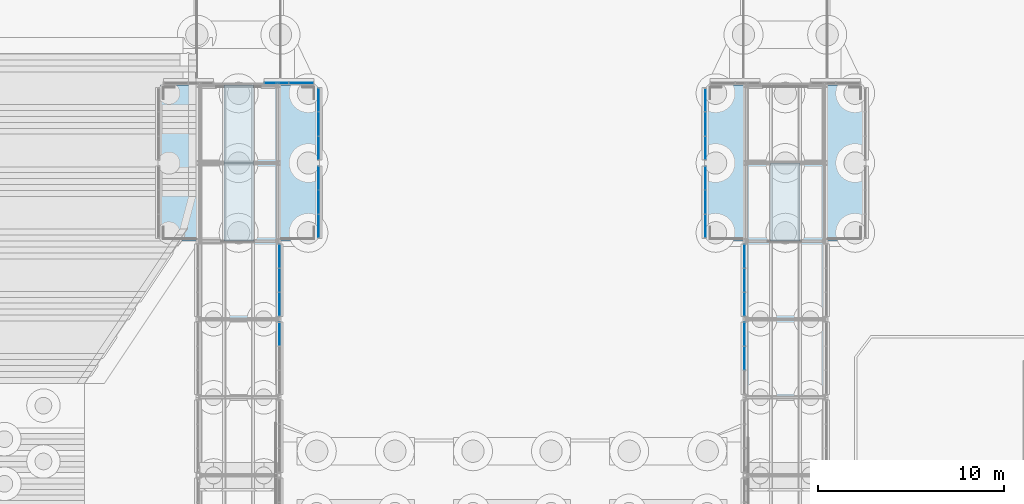
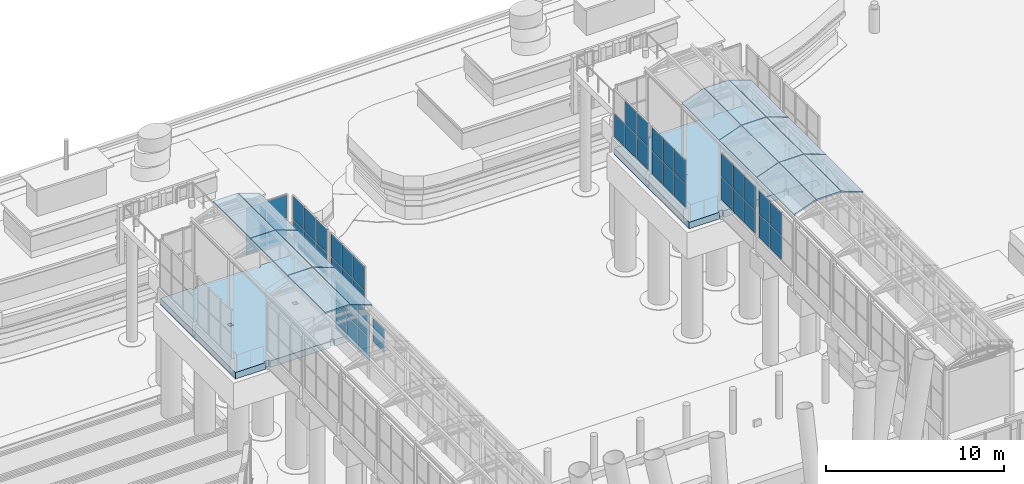
# One storey, part 85 of 222: 44 plates, 17 slabs, 9 elements without a shape of their own.
"""IFC4 building model written with IfcOpenShell, lengths in metres."""

from ifc_helpers import new_model, si_unit, direction, frame, origin, origin_2d, place, context, subcontext, project, spatial, polyline, rectangle, outline, extrude, material, layer, layer_set, type_object, element, aggregate, save


model = new_model("IFC4")

# Units and contexts
model_context = context("Model", 3, precision=1e-05, world=origin(), true_north=direction((0.0, 1.0)))
body_context = subcontext(model_context, "Body", "Model", "MODEL_VIEW")
ifc_project = project(units=[si_unit("LENGTHUNIT", "METRE"), si_unit("AREAUNIT", "SQUARE_METRE"), si_unit("VOLUMEUNIT", "CUBIC_METRE"), si_unit("PLANEANGLEUNIT", "RADIAN"), si_unit("MASSUNIT", "GRAM", prefix="KILO")], contexts=[model_context])

# Site, building, storey
site_placement = place(None, origin())
site = spatial("IfcSite", under=ifc_project, at=site_placement, CompositionType="ELEMENT")
building_placement = place(site_placement, origin())
building = spatial("IfcBuilding", under=site, at=building_placement, Name="Sava Quay Ferry Terminal", CompositionType="ELEMENT")
storey_placement = place(building_placement, origin())
storey = spatial("IfcBuildingStorey", under=building, at=storey_placement, Name="L00", CompositionType="ELEMENT", Elevation=0.0)

# Curtain wall, plate
ifc_material_1 = material(Name="Aluminium and glass curtain wall, double glazed", Category="aluminium")
curtain_wall_type = type_object("IfcCurtainWallType", Name="Curtain wall CW-B gallery", PredefinedType="NOTDEFINED", material=ifc_material_1)
curtain_wall_1_placement = place(storey_placement, origin())
curtain_wall_1 = element("IfcCurtainWall", 1, at=curtain_wall_1_placement, inside=storey, type_object=curtain_wall_type, Name="Curtain wall B1-E L00 bay 5", PredefinedType="NOTDEFINED")
ifc_material_2 = material(Name="Laminated glass, double glazed unit", Category="glass")
ifc_layer_1 = layer(ifc_material_2, 0.02392578125)
ifc_layer_set_1 = layer_set([ifc_layer_1], Name="Laminated glass, double glazed unit")
plate_type = type_object("IfcPlateType", Name="Glass panel 24 double", PredefinedType="CURTAIN_PANEL", material=ifc_layer_set_1)
plate_1_placement = place(storey_placement, frame((50.5, 129.387451171875, 2.5751953125), z_axis=(0.0, 0.0, 1.0), x_axis=(0.0, 1.0, 0.0)))
plate_1 = element("IfcPlate", 2, at=plate_1_placement, type_object=plate_type, Name="CW5 panel 3.2", PredefinedType="CURTAIN_PANEL", context=body_context, shape_type="SweptSolid", body=[
    extrude(rectangle(XDim=1.22509765625, YDim=0.02392578125, at=origin_2d()), origin(), (0.0, 0.0, 1.0), 1.574951171875),
])
aggregate(curtain_wall_1, [plate_1])

# Curtain wall, plates
curtain_wall_2_placement = place(storey_placement, origin())
curtain_wall_2 = element("IfcCurtainWall", 3, at=curtain_wall_2_placement, inside=storey, type_object=curtain_wall_type, Name="Curtain wall B1-E L00 bay 6", PredefinedType="NOTDEFINED")
plate_2_placement = place(storey_placement, frame((50.5, 131.012451171875, 0.9501953125), z_axis=(0.0, 0.0, 1.0), x_axis=(0.0, 1.0, 0.0)))
plate_2 = element("IfcPlate", 4, at=plate_2_placement, type_object=plate_type, Name="CW6 panel 1.1", PredefinedType="CURTAIN_PANEL", context=body_context, shape_type="SweptSolid", body=[
    extrude(rectangle(XDim=1.22509765625, YDim=0.02392578125, at=origin_2d()), origin(), (0.0, 0.0, 1.0), 1.574951171875),
])
plate_3_placement = place(storey_placement, frame((50.5, 131.012451171875, 2.5751953125), z_axis=(0.0, 0.0, 1.0), x_axis=(0.0, 1.0, 0.0)))
plate_3 = element("IfcPlate", 5, at=plate_3_placement, type_object=plate_type, Name="CW6 panel 1.2", PredefinedType="CURTAIN_PANEL", context=body_context, shape_type="SweptSolid", body=[
    extrude(rectangle(XDim=1.22509765625, YDim=0.02392578125, at=origin_2d()), origin(), (0.0, 0.0, 1.0), 1.574951171875),
])
plate_4_placement = place(storey_placement, frame((50.5, 132.300048828125, 0.9501953125), z_axis=(0.0, 0.0, 1.0), x_axis=(0.0, 1.0, 0.0)))
plate_4 = element("IfcPlate", 6, at=plate_4_placement, type_object=plate_type, Name="CW6 panel 2.1", PredefinedType="CURTAIN_PANEL", context=body_context, shape_type="SweptSolid", body=[
    extrude(rectangle(XDim=1.25, YDim=0.02392578125, at=origin_2d()), origin(), (0.0, 0.0, 1.0), 1.574951171875),
])
plate_5_placement = place(storey_placement, frame((50.5, 132.300048828125, 2.5751953125), z_axis=(0.0, 0.0, 1.0), x_axis=(0.0, 1.0, 0.0)))
plate_5 = element("IfcPlate", 7, at=plate_5_placement, type_object=plate_type, Name="CW6 panel 2.2", PredefinedType="CURTAIN_PANEL", context=body_context, shape_type="SweptSolid", body=[
    extrude(rectangle(XDim=1.25, YDim=0.02392578125, at=origin_2d()), origin(), (0.0, 0.0, 1.0), 1.574951171875),
])
plate_6_placement = place(storey_placement, frame((50.5, 133.58740234375, 0.9501953125), z_axis=(0.0, 0.0, 1.0), x_axis=(0.0, 1.0, 0.0)))
plate_6 = element("IfcPlate", 8, at=plate_6_placement, type_object=plate_type, Name="CW6 panel 3.1", PredefinedType="CURTAIN_PANEL", context=body_context, shape_type="SweptSolid", body=[
    extrude(rectangle(XDim=1.22509765625, YDim=0.02392578125, at=origin_2d()), origin(), (0.0, 0.0, 1.0), 1.574951171875),
])
plate_7_placement = place(storey_placement, frame((50.5, 133.58740234375, 2.5751953125), z_axis=(0.0, 0.0, 1.0), x_axis=(0.0, 1.0, 0.0)))
plate_7 = element("IfcPlate", 9, at=plate_7_placement, type_object=plate_type, Name="CW6 panel 3.2", PredefinedType="CURTAIN_PANEL", context=body_context, shape_type="SweptSolid", body=[
    extrude(rectangle(XDim=1.22509765625, YDim=0.02392578125, at=origin_2d()), origin(), (0.0, 0.0, 1.0), 1.574951171875),
])
aggregate(curtain_wall_2, [plate_2, plate_3, plate_4, plate_5, plate_6, plate_7])

curtain_wall_3_placement = place(storey_placement, origin())
curtain_wall_3 = element("IfcCurtainWall", 10, at=curtain_wall_3_placement, inside=storey, type_object=curtain_wall_type, Name="Curtain wall B1-HE L00 bay 1", PredefinedType="NOTDEFINED")
plate_8_placement = place(storey_placement, frame((52.60009765625, 135.21240234375, 0.9501953125), z_axis=(0.0, 0.0, 1.0), x_axis=(0.0, 1.0, 0.0)))
plate_8 = element("IfcPlate", 11, at=plate_8_placement, type_object=plate_type, Name="CW7 panel 1.1", PredefinedType="CURTAIN_PANEL", context=body_context, shape_type="SweptSolid", body=[
    extrude(rectangle(XDim=1.22509765625, YDim=0.02392578125, at=origin_2d()), origin(), (0.0, 0.0, 1.0), 1.574951171875),
])
plate_9_placement = place(storey_placement, frame((52.60009765625, 135.21240234375, 2.5751953125), z_axis=(0.0, 0.0, 1.0), x_axis=(0.0, 1.0, 0.0)))
plate_9 = element("IfcPlate", 12, at=plate_9_placement, type_object=plate_type, Name="CW7 panel 1.2", PredefinedType="CURTAIN_PANEL", context=body_context, shape_type="SweptSolid", body=[
    extrude(rectangle(XDim=1.22509765625, YDim=0.02392578125, at=origin_2d()), origin(), (0.0, 0.0, 1.0), 1.574951171875),
])
plate_10_placement = place(storey_placement, frame((52.60009765625, 136.5, 0.9501953125), z_axis=(0.0, 0.0, 1.0), x_axis=(0.0, 1.0, 0.0)))
plate_10 = element("IfcPlate", 13, at=plate_10_placement, type_object=plate_type, Name="CW7 panel 2.1", PredefinedType="CURTAIN_PANEL", context=body_context, shape_type="SweptSolid", body=[
    extrude(rectangle(XDim=1.25, YDim=0.02392578125, at=origin_2d()), origin(), (0.0, 0.0, 1.0), 1.574951171875),
])
plate_11_placement = place(storey_placement, frame((52.60009765625, 136.5, 2.5751953125), z_axis=(0.0, 0.0, 1.0), x_axis=(0.0, 1.0, 0.0)))
plate_11 = element("IfcPlate", 14, at=plate_11_placement, type_object=plate_type, Name="CW7 panel 2.2", PredefinedType="CURTAIN_PANEL", context=body_context, shape_type="SweptSolid", body=[
    extrude(rectangle(XDim=1.25, YDim=0.02392578125, at=origin_2d()), origin(), (0.0, 0.0, 1.0), 1.574951171875),
])
plate_12_placement = place(storey_placement, frame((52.60009765625, 137.78759765625, 0.9501953125), z_axis=(0.0, 0.0, 1.0), x_axis=(0.0, 1.0, 0.0)))
plate_12 = element("IfcPlate", 15, at=plate_12_placement, type_object=plate_type, Name="CW7 panel 3.1", PredefinedType="CURTAIN_PANEL", context=body_context, shape_type="SweptSolid", body=[
    extrude(rectangle(XDim=1.22509765625, YDim=0.02392578125, at=origin_2d()), origin(), (0.0, 0.0, 1.0), 1.574951171875),
])
plate_13_placement = place(storey_placement, frame((52.60009765625, 137.78759765625, 2.5751953125), z_axis=(0.0, 0.0, 1.0), x_axis=(0.0, 1.0, 0.0)))
plate_13 = element("IfcPlate", 16, at=plate_13_placement, type_object=plate_type, Name="CW7 panel 3.2", PredefinedType="CURTAIN_PANEL", context=body_context, shape_type="SweptSolid", body=[
    extrude(rectangle(XDim=1.22509765625, YDim=0.02392578125, at=origin_2d()), origin(), (0.0, 0.0, 1.0), 1.574951171875),
])
aggregate(curtain_wall_3, [plate_8, plate_9, plate_10, plate_11, plate_12, plate_13])

curtain_wall_4_placement = place(storey_placement, origin())
curtain_wall_4 = element("IfcCurtainWall", 17, at=curtain_wall_4_placement, inside=storey, type_object=curtain_wall_type, Name="Curtain wall B1-HE L00 bay 2", PredefinedType="NOTDEFINED")
plate_14_placement = place(storey_placement, frame((52.60009765625, 139.41259765625, 0.9501953125), z_axis=(0.0, 0.0, 1.0), x_axis=(0.0, 1.0, 0.0)))
plate_14 = element("IfcPlate", 18, at=plate_14_placement, type_object=plate_type, Name="CW8 panel 1.1", PredefinedType="CURTAIN_PANEL", context=body_context, shape_type="SweptSolid", body=[
    extrude(rectangle(XDim=1.22509765625, YDim=0.02392578125, at=origin_2d()), origin(), (0.0, 0.0, 1.0), 1.574951171875),
])
plate_15_placement = place(storey_placement, frame((52.60009765625, 139.41259765625, 2.5751953125), z_axis=(0.0, 0.0, 1.0), x_axis=(0.0, 1.0, 0.0)))
plate_15 = element("IfcPlate", 19, at=plate_15_placement, type_object=plate_type, Name="CW8 panel 1.2", PredefinedType="CURTAIN_PANEL", context=body_context, shape_type="SweptSolid", body=[
    extrude(rectangle(XDim=1.22509765625, YDim=0.02392578125, at=origin_2d()), origin(), (0.0, 0.0, 1.0), 1.574951171875),
])
plate_16_placement = place(storey_placement, frame((52.60009765625, 140.699951171875, 0.9501953125), z_axis=(0.0, 0.0, 1.0), x_axis=(0.0, 1.0, 0.0)))
plate_16 = element("IfcPlate", 20, at=plate_16_placement, type_object=plate_type, Name="CW8 panel 2.1", PredefinedType="CURTAIN_PANEL", context=body_context, shape_type="SweptSolid", body=[
    extrude(rectangle(XDim=1.25, YDim=0.02392578125, at=origin_2d()), origin(), (0.0, 0.0, 1.0), 1.574951171875),
])
plate_17_placement = place(storey_placement, frame((52.60009765625, 140.699951171875, 2.5751953125), z_axis=(0.0, 0.0, 1.0), x_axis=(0.0, 1.0, 0.0)))
plate_17 = element("IfcPlate", 21, at=plate_17_placement, type_object=plate_type, Name="CW8 panel 2.2", PredefinedType="CURTAIN_PANEL", context=body_context, shape_type="SweptSolid", body=[
    extrude(rectangle(XDim=1.25, YDim=0.02392578125, at=origin_2d()), origin(), (0.0, 0.0, 1.0), 1.574951171875),
])
plate_18_placement = place(storey_placement, frame((52.60009765625, 141.987548828125, 0.9501953125), z_axis=(0.0, 0.0, 1.0), x_axis=(0.0, 1.0, 0.0)))
plate_18 = element("IfcPlate", 22, at=plate_18_placement, type_object=plate_type, Name="CW8 panel 3.1", PredefinedType="CURTAIN_PANEL", context=body_context, shape_type="SweptSolid", body=[
    extrude(rectangle(XDim=1.22509765625, YDim=0.02392578125, at=origin_2d()), origin(), (0.0, 0.0, 1.0), 1.574951171875),
])
plate_19_placement = place(storey_placement, frame((52.60009765625, 141.987548828125, 2.5751953125), z_axis=(0.0, 0.0, 1.0), x_axis=(0.0, 1.0, 0.0)))
plate_19 = element("IfcPlate", 23, at=plate_19_placement, type_object=plate_type, Name="CW8 panel 3.2", PredefinedType="CURTAIN_PANEL", context=body_context, shape_type="SweptSolid", body=[
    extrude(rectangle(XDim=1.22509765625, YDim=0.02392578125, at=origin_2d()), origin(), (0.0, 0.0, 1.0), 1.574951171875),
])
aggregate(curtain_wall_4, [plate_14, plate_15, plate_16, plate_17, plate_18, plate_19])

curtain_wall_5_placement = place(storey_placement, origin())
curtain_wall_5 = element("IfcCurtainWall", 24, at=curtain_wall_5_placement, inside=storey, type_object=curtain_wall_type, Name="Curtain wall B1-HN L00 bay 2", PredefinedType="NOTDEFINED")
plate_20_placement = place(storey_placement, frame((50.33740234375, 142.89990234375, 0.9501953125), z_axis=(0.0, 0.0, 1.0), x_axis=(1.0, 0.0, 0.0)))
plate_20 = element("IfcPlate", 25, at=plate_20_placement, type_object=plate_type, Name="CW10 panel 1.1", PredefinedType="CURTAIN_PANEL", context=body_context, shape_type="SweptSolid", body=[
    extrude(rectangle(XDim=1.27490234375, YDim=0.02392578125, at=origin_2d()), origin(), (0.0, 0.0, 1.0), 1.574951171875),
])
plate_21_placement = place(storey_placement, frame((50.33740234375, 142.89990234375, 2.5751953125), z_axis=(0.0, 0.0, 1.0), x_axis=(1.0, 0.0, 0.0)))
plate_21 = element("IfcPlate", 26, at=plate_21_placement, type_object=plate_type, Name="CW10 panel 1.2", PredefinedType="CURTAIN_PANEL", context=body_context, shape_type="SweptSolid", body=[
    extrude(rectangle(XDim=1.27490234375, YDim=0.02392578125, at=origin_2d()), origin(), (0.0, 0.0, 1.0), 1.574951171875),
])
plate_22_placement = place(storey_placement, frame((51.66259765625, 142.89990234375, 0.9501953125), z_axis=(0.0, 0.0, 1.0), x_axis=(1.0, 0.0, 0.0)))
plate_22 = element("IfcPlate", 27, at=plate_22_placement, type_object=plate_type, Name="CW10 panel 2.1", PredefinedType="CURTAIN_PANEL", context=body_context, shape_type="SweptSolid", body=[
    extrude(rectangle(XDim=1.27490234375, YDim=0.02392578125, at=origin_2d()), origin(), (0.0, 0.0, 1.0), 1.574951171875),
])
plate_23_placement = place(storey_placement, frame((51.66259765625, 142.89990234375, 2.5751953125), z_axis=(0.0, 0.0, 1.0), x_axis=(1.0, 0.0, 0.0)))
plate_23 = element("IfcPlate", 28, at=plate_23_placement, type_object=plate_type, Name="CW10 panel 2.2", PredefinedType="CURTAIN_PANEL", context=body_context, shape_type="SweptSolid", body=[
    extrude(rectangle(XDim=1.27490234375, YDim=0.02392578125, at=origin_2d()), origin(), (0.0, 0.0, 1.0), 1.574951171875),
])
aggregate(curtain_wall_5, [plate_20, plate_21, plate_22, plate_23])

curtain_wall_6_placement = place(storey_placement, origin())
curtain_wall_6 = element("IfcCurtainWall", 29, at=curtain_wall_6_placement, inside=storey, type_object=curtain_wall_type, Name="Curtain wall B2-HW L00 bay 1", PredefinedType="NOTDEFINED")
plate_24_placement = place(storey_placement, frame((73.39990234375, 135.21240234375, 0.9501953125), z_axis=(0.0, 0.0, 1.0), x_axis=(0.0, 1.0, 0.0)))
plate_24 = element("IfcPlate", 30, at=plate_24_placement, type_object=plate_type, Name="CW29 panel 1.1", PredefinedType="CURTAIN_PANEL", context=body_context, shape_type="SweptSolid", body=[
    extrude(rectangle(XDim=1.22509765625, YDim=0.02392578125, at=origin_2d()), origin(), (0.0, 0.0, 1.0), 1.574951171875),
])
plate_25_placement = place(storey_placement, frame((73.39990234375, 135.21240234375, 2.5751953125), z_axis=(0.0, 0.0, 1.0), x_axis=(0.0, 1.0, 0.0)))
plate_25 = element("IfcPlate", 31, at=plate_25_placement, type_object=plate_type, Name="CW29 panel 1.2", PredefinedType="CURTAIN_PANEL", context=body_context, shape_type="SweptSolid", body=[
    extrude(rectangle(XDim=1.22509765625, YDim=0.02392578125, at=origin_2d()), origin(), (0.0, 0.0, 1.0), 1.574951171875),
])
plate_26_placement = place(storey_placement, frame((73.39990234375, 136.5, 0.9501953125), z_axis=(0.0, 0.0, 1.0), x_axis=(0.0, 1.0, 0.0)))
plate_26 = element("IfcPlate", 32, at=plate_26_placement, type_object=plate_type, Name="CW29 panel 2.1", PredefinedType="CURTAIN_PANEL", context=body_context, shape_type="SweptSolid", body=[
    extrude(rectangle(XDim=1.25, YDim=0.02392578125, at=origin_2d()), origin(), (0.0, 0.0, 1.0), 1.574951171875),
])
plate_27_placement = place(storey_placement, frame((73.39990234375, 136.5, 2.5751953125), z_axis=(0.0, 0.0, 1.0), x_axis=(0.0, 1.0, 0.0)))
plate_27 = element("IfcPlate", 33, at=plate_27_placement, type_object=plate_type, Name="CW29 panel 2.2", PredefinedType="CURTAIN_PANEL", context=body_context, shape_type="SweptSolid", body=[
    extrude(rectangle(XDim=1.25, YDim=0.02392578125, at=origin_2d()), origin(), (0.0, 0.0, 1.0), 1.574951171875),
])
plate_28_placement = place(storey_placement, frame((73.39990234375, 137.78759765625, 0.9501953125), z_axis=(0.0, 0.0, 1.0), x_axis=(0.0, 1.0, 0.0)))
plate_28 = element("IfcPlate", 34, at=plate_28_placement, type_object=plate_type, Name="CW29 panel 3.1", PredefinedType="CURTAIN_PANEL", context=body_context, shape_type="SweptSolid", body=[
    extrude(rectangle(XDim=1.22509765625, YDim=0.02392578125, at=origin_2d()), origin(), (0.0, 0.0, 1.0), 1.574951171875),
])
plate_29_placement = place(storey_placement, frame((73.39990234375, 137.78759765625, 2.5751953125), z_axis=(0.0, 0.0, 1.0), x_axis=(0.0, 1.0, 0.0)))
plate_29 = element("IfcPlate", 35, at=plate_29_placement, type_object=plate_type, Name="CW29 panel 3.2", PredefinedType="CURTAIN_PANEL", context=body_context, shape_type="SweptSolid", body=[
    extrude(rectangle(XDim=1.22509765625, YDim=0.02392578125, at=origin_2d()), origin(), (0.0, 0.0, 1.0), 1.574951171875),
])
aggregate(curtain_wall_6, [plate_24, plate_25, plate_26, plate_27, plate_28, plate_29])

curtain_wall_7_placement = place(storey_placement, origin())
curtain_wall_7 = element("IfcCurtainWall", 36, at=curtain_wall_7_placement, inside=storey, type_object=curtain_wall_type, Name="Curtain wall B2-HW L00 bay 2", PredefinedType="NOTDEFINED")
plate_30_placement = place(storey_placement, frame((73.39990234375, 139.41259765625, 0.9501953125), z_axis=(0.0, 0.0, 1.0), x_axis=(0.0, 1.0, 0.0)))
plate_30 = element("IfcPlate", 37, at=plate_30_placement, type_object=plate_type, Name="CW30 panel 1.1", PredefinedType="CURTAIN_PANEL", context=body_context, shape_type="SweptSolid", body=[
    extrude(rectangle(XDim=1.22509765625, YDim=0.02392578125, at=origin_2d()), origin(), (0.0, 0.0, 1.0), 1.574951171875),
])
plate_31_placement = place(storey_placement, frame((73.39990234375, 139.41259765625, 2.5751953125), z_axis=(0.0, 0.0, 1.0), x_axis=(0.0, 1.0, 0.0)))
plate_31 = element("IfcPlate", 38, at=plate_31_placement, type_object=plate_type, Name="CW30 panel 1.2", PredefinedType="CURTAIN_PANEL", context=body_context, shape_type="SweptSolid", body=[
    extrude(rectangle(XDim=1.22509765625, YDim=0.02392578125, at=origin_2d()), origin(), (0.0, 0.0, 1.0), 1.574951171875),
])
plate_32_placement = place(storey_placement, frame((73.39990234375, 140.699951171875, 0.9501953125), z_axis=(0.0, 0.0, 1.0), x_axis=(0.0, 1.0, 0.0)))
plate_32 = element("IfcPlate", 39, at=plate_32_placement, type_object=plate_type, Name="CW30 panel 2.1", PredefinedType="CURTAIN_PANEL", context=body_context, shape_type="SweptSolid", body=[
    extrude(rectangle(XDim=1.25, YDim=0.02392578125, at=origin_2d()), origin(), (0.0, 0.0, 1.0), 1.574951171875),
])
plate_33_placement = place(storey_placement, frame((73.39990234375, 140.699951171875, 2.5751953125), z_axis=(0.0, 0.0, 1.0), x_axis=(0.0, 1.0, 0.0)))
plate_33 = element("IfcPlate", 40, at=plate_33_placement, type_object=plate_type, Name="CW30 panel 2.2", PredefinedType="CURTAIN_PANEL", context=body_context, shape_type="SweptSolid", body=[
    extrude(rectangle(XDim=1.25, YDim=0.02392578125, at=origin_2d()), origin(), (0.0, 0.0, 1.0), 1.574951171875),
])
plate_34_placement = place(storey_placement, frame((73.39990234375, 141.987548828125, 0.9501953125), z_axis=(0.0, 0.0, 1.0), x_axis=(0.0, 1.0, 0.0)))
plate_34 = element("IfcPlate", 41, at=plate_34_placement, type_object=plate_type, Name="CW30 panel 3.1", PredefinedType="CURTAIN_PANEL", context=body_context, shape_type="SweptSolid", body=[
    extrude(rectangle(XDim=1.22509765625, YDim=0.02392578125, at=origin_2d()), origin(), (0.0, 0.0, 1.0), 1.574951171875),
])
aggregate(curtain_wall_7, [plate_30, plate_31, plate_32, plate_33, plate_34])

curtain_wall_8_placement = place(storey_placement, origin())
curtain_wall_8 = element("IfcCurtainWall", 42, at=curtain_wall_8_placement, inside=storey, type_object=curtain_wall_type, Name="Curtain wall B2-W L00 bay 5", PredefinedType="NOTDEFINED")
plate_35_placement = place(storey_placement, frame((75.5, 128.10009765625, 0.9501953125), z_axis=(0.0, 0.0, 1.0), x_axis=(0.0, 1.0, 0.0)))
plate_35 = element("IfcPlate", 43, at=plate_35_placement, type_object=plate_type, Name="CW35 panel 2.1", PredefinedType="CURTAIN_PANEL", context=body_context, shape_type="SweptSolid", body=[
    extrude(rectangle(XDim=1.25, YDim=0.02392578125, at=origin_2d()), origin(), (0.0, 0.0, 1.0), 1.574951171875),
])
plate_36_placement = place(storey_placement, frame((75.5, 128.10009765625, 2.5751953125), z_axis=(0.0, 0.0, 1.0), x_axis=(0.0, 1.0, 0.0)))
plate_36 = element("IfcPlate", 44, at=plate_36_placement, type_object=plate_type, Name="CW35 panel 2.2", PredefinedType="CURTAIN_PANEL", context=body_context, shape_type="SweptSolid", body=[
    extrude(rectangle(XDim=1.25, YDim=0.02392578125, at=origin_2d()), origin(), (0.0, 0.0, 1.0), 1.574951171875),
])
plate_37_placement = place(storey_placement, frame((75.5, 129.387451171875, 0.9501953125), z_axis=(0.0, 0.0, 1.0), x_axis=(0.0, 1.0, 0.0)))
plate_37 = element("IfcPlate", 45, at=plate_37_placement, type_object=plate_type, Name="CW35 panel 3.1", PredefinedType="CURTAIN_PANEL", context=body_context, shape_type="SweptSolid", body=[
    extrude(rectangle(XDim=1.22509765625, YDim=0.02392578125, at=origin_2d()), origin(), (0.0, 0.0, 1.0), 1.574951171875),
])
plate_38_placement = place(storey_placement, frame((75.5, 129.387451171875, 2.5751953125), z_axis=(0.0, 0.0, 1.0), x_axis=(0.0, 1.0, 0.0)))
plate_38 = element("IfcPlate", 46, at=plate_38_placement, type_object=plate_type, Name="CW35 panel 3.2", PredefinedType="CURTAIN_PANEL", context=body_context, shape_type="SweptSolid", body=[
    extrude(rectangle(XDim=1.22509765625, YDim=0.02392578125, at=origin_2d()), origin(), (0.0, 0.0, 1.0), 1.574951171875),
])
aggregate(curtain_wall_8, [plate_35, plate_36, plate_37, plate_38])

curtain_wall_9_placement = place(storey_placement, origin())
curtain_wall_9 = element("IfcCurtainWall", 47, at=curtain_wall_9_placement, inside=storey, type_object=curtain_wall_type, Name="Curtain wall B2-W L00 bay 6", PredefinedType="NOTDEFINED")
plate_39_placement = place(storey_placement, frame((75.5, 131.012451171875, 0.9501953125), z_axis=(0.0, 0.0, 1.0), x_axis=(0.0, 1.0, 0.0)))
plate_39 = element("IfcPlate", 48, at=plate_39_placement, type_object=plate_type, Name="CW36 panel 1.1", PredefinedType="CURTAIN_PANEL", context=body_context, shape_type="SweptSolid", body=[
    extrude(rectangle(XDim=1.22509765625, YDim=0.02392578125, at=origin_2d()), origin(), (0.0, 0.0, 1.0), 1.574951171875),
])
plate_40_placement = place(storey_placement, frame((75.5, 131.012451171875, 2.5751953125), z_axis=(0.0, 0.0, 1.0), x_axis=(0.0, 1.0, 0.0)))
plate_40 = element("IfcPlate", 49, at=plate_40_placement, type_object=plate_type, Name="CW36 panel 1.2", PredefinedType="CURTAIN_PANEL", context=body_context, shape_type="SweptSolid", body=[
    extrude(rectangle(XDim=1.22509765625, YDim=0.02392578125, at=origin_2d()), origin(), (0.0, 0.0, 1.0), 1.574951171875),
])
plate_41_placement = place(storey_placement, frame((75.5, 132.300048828125, 0.9501953125), z_axis=(0.0, 0.0, 1.0), x_axis=(0.0, 1.0, 0.0)))
plate_41 = element("IfcPlate", 50, at=plate_41_placement, type_object=plate_type, Name="CW36 panel 2.1", PredefinedType="CURTAIN_PANEL", context=body_context, shape_type="SweptSolid", body=[
    extrude(rectangle(XDim=1.25, YDim=0.02392578125, at=origin_2d()), origin(), (0.0, 0.0, 1.0), 1.574951171875),
])
plate_42_placement = place(storey_placement, frame((75.5, 132.300048828125, 2.5751953125), z_axis=(0.0, 0.0, 1.0), x_axis=(0.0, 1.0, 0.0)))
plate_42 = element("IfcPlate", 51, at=plate_42_placement, type_object=plate_type, Name="CW36 panel 2.2", PredefinedType="CURTAIN_PANEL", context=body_context, shape_type="SweptSolid", body=[
    extrude(rectangle(XDim=1.25, YDim=0.02392578125, at=origin_2d()), origin(), (0.0, 0.0, 1.0), 1.574951171875),
])
plate_43_placement = place(storey_placement, frame((75.5, 133.58740234375, 0.9501953125), z_axis=(0.0, 0.0, 1.0), x_axis=(0.0, 1.0, 0.0)))
plate_43 = element("IfcPlate", 52, at=plate_43_placement, type_object=plate_type, Name="CW36 panel 3.1", PredefinedType="CURTAIN_PANEL", context=body_context, shape_type="SweptSolid", body=[
    extrude(rectangle(XDim=1.22509765625, YDim=0.02392578125, at=origin_2d()), origin(), (0.0, 0.0, 1.0), 1.574951171875),
])
plate_44_placement = place(storey_placement, frame((75.5, 133.58740234375, 2.5751953125), z_axis=(0.0, 0.0, 1.0), x_axis=(0.0, 1.0, 0.0)))
plate_44 = element("IfcPlate", 53, at=plate_44_placement, type_object=plate_type, Name="CW36 panel 3.2", PredefinedType="CURTAIN_PANEL", context=body_context, shape_type="SweptSolid", body=[
    extrude(rectangle(XDim=1.22509765625, YDim=0.02392578125, at=origin_2d()), origin(), (0.0, 0.0, 1.0), 1.574951171875),
])
aggregate(curtain_wall_9, [plate_39, plate_40, plate_41, plate_42, plate_43, plate_44])

# Slabs
ifc_material_3 = material(Name="Concrete C40/50", Category="concrete")
ifc_layer_2 = layer(ifc_material_3, 0.449951171875)
ifc_layer_set_2 = layer_set([ifc_layer_2], Name="Concrete C40/50")
slab_type_1 = type_object("IfcSlabType", Name="RC deck slab 450", PredefinedType="FLOOR", material=ifc_layer_set_2)
slab_1_placement = place(storey_placement, frame((0.0, 0.0, -0.449951171875)))
element("IfcSlab", 54, at=slab_1_placement, inside=storey, type_object=slab_type_1, Name="B1 berth head slab", PredefinedType="FLOOR", context=body_context, shape_type="SweptSolid", body=[
    extrude(outline(polyline([(52.5, 142.800048828125), (52.5, 134.39990234375), (50.530029296875, 134.39990234375), (50.530029296875, 134.530029296875), (50.27001953125, 134.530029296875), (50.27001953125, 134.39990234375), (46.330078125, 134.39990234375), (46.330078125, 134.530029296875), (46.070068359375, 134.530029296875), (46.070068359375, 134.39990234375), (44.10009765625, 134.39990234375), (44.10009765625, 142.800048828125), (46.070068359375, 142.800048828125), (46.070068359375, 142.669921875), (46.330078125, 142.669921875), (46.330078125, 142.800048828125), (50.27001953125, 142.800048828125), (50.27001953125, 142.669921875), (50.530029296875, 142.669921875), (50.530029296875, 142.800048828125), (52.5, 142.800048828125)]), holes=[polyline([(46.070068359375, 138.72998046875), (46.070068359375, 138.469970703125), (46.330078125, 138.469970703125), (46.330078125, 138.72998046875), (46.070068359375, 138.72998046875)]), polyline([(50.27001953125, 138.469970703125), (50.530029296875, 138.469970703125), (50.530029296875, 138.72998046875), (50.27001953125, 138.72998046875), (50.27001953125, 138.469970703125)])]), origin(), (0.0, 0.0, 1.0), 0.449951171875),
])
slab_2_placement = place(storey_placement, frame((0.0, 0.0, -0.449951171875)))
element("IfcSlab", 55, at=slab_2_placement, inside=storey, type_object=slab_type_1, Name="B2 berth head slab", PredefinedType="FLOOR", context=body_context, shape_type="SweptSolid", body=[
    extrude(outline(polyline([(81.89990234375, 142.800048828125), (81.89990234375, 134.39990234375), (79.929931640625, 134.39990234375), (79.929931640625, 134.530029296875), (79.669921875, 134.530029296875), (79.669921875, 134.39990234375), (75.72998046875, 134.39990234375), (75.72998046875, 134.530029296875), (75.469970703125, 134.530029296875), (75.469970703125, 134.39990234375), (73.5, 134.39990234375), (73.5, 142.800048828125), (75.469970703125, 142.800048828125), (75.469970703125, 142.669921875), (75.72998046875, 142.669921875), (75.72998046875, 142.800048828125), (79.669921875, 142.800048828125), (79.669921875, 142.669921875), (79.929931640625, 142.669921875), (79.929931640625, 142.800048828125), (81.89990234375, 142.800048828125)]), holes=[polyline([(75.469970703125, 138.72998046875), (75.469970703125, 138.469970703125), (75.72998046875, 138.469970703125), (75.72998046875, 138.72998046875), (75.469970703125, 138.72998046875)]), polyline([(79.669921875, 138.469970703125), (79.929931640625, 138.469970703125), (79.929931640625, 138.72998046875), (79.669921875, 138.72998046875), (79.669921875, 138.469970703125)])]), origin(), (0.0, 0.0, 1.0), 0.449951171875),
])
ifc_material_4 = material(Name="Cross laminated timber C24", Category="wood")
ifc_layer_3 = layer(ifc_material_4, 0.10009765625)
ifc_layer_set_3 = layer_set([ifc_layer_3], Name="Cross laminated timber C24")
slab_type_2 = type_object("IfcSlabType", Name="Roof deck CLT 100", PredefinedType="ROOF", material=ifc_layer_set_3)
slab_3_placement = place(storey_placement, frame((47.498291015625, 130.2099609375, 5.4658203125), z_axis=(0.0, 0.0, 1.0), x_axis=(1.0, 0.0, 0.0)))
element("IfcSlab", 56, at=slab_3_placement, inside=storey, type_object=slab_type_2, Name="Boarding gallery B1 roof deck bay 6 facet 2", PredefinedType="ROOF", context=body_context, shape_type="SweptSolid", body=[
    extrude(outline(polyline([(0.0, 0.0), (1.603271484375, 0.0), (1.603271484375, 4.179931640625), (0.0, 4.179931640625), (0.0, 0.0)])), origin(), (0.0, 0.0, -1.0), 0.10009765625),
])
slab_4_placement = place(storey_placement, frame((49.12109375, 130.2099609375, 5.46240234375), z_axis=(0.342065251979, 0.0, 0.939676201353), x_axis=(0.939676201353, 0.0, -0.342065251979)))
element("IfcSlab", 57, at=slab_4_placement, inside=storey, type_object=slab_type_2, Name="Boarding gallery B1 roof deck bay 6 facet 3", PredefinedType="ROOF", context=body_context, shape_type="SweptSolid", body=[
    extrude(outline(polyline([(0.0, 0.0), (1.5209486168666146, 0.0), (1.5209486168666146, 4.179931640625), (0.0, 4.179931640625), (0.0, 0.0)])), origin(), (0.0, 0.0, -1.0), 0.10009765625),
])
slab_5_placement = place(storey_placement, frame((47.498291015625, 134.409912109375, 5.4658203125), z_axis=(0.0, 0.0, 1.0), x_axis=(1.0, 0.0, 0.0)))
element("IfcSlab", 58, at=slab_5_placement, inside=storey, type_object=slab_type_2, Name="Boarding gallery B1 roof deck bay 7 facet 2", PredefinedType="ROOF", context=body_context, shape_type="SweptSolid", body=[
    extrude(outline(polyline([(0.0, 0.0), (1.603271484375, 0.0), (1.603271484375, 4.18017578125), (0.0, 4.18017578125), (0.0, 0.0)])), origin(), (0.0, 0.0, -1.0), 0.10009765625),
])
slab_6_placement = place(storey_placement, frame((49.12109375, 134.409912109375, 5.46240234375), z_axis=(0.342065251979, 0.0, 0.939676201353), x_axis=(0.939676201353, 0.0, -0.342065251979)))
element("IfcSlab", 59, at=slab_6_placement, inside=storey, type_object=slab_type_2, Name="Boarding gallery B1 roof deck bay 7 facet 3", PredefinedType="ROOF", context=body_context, shape_type="SweptSolid", body=[
    extrude(outline(polyline([(0.0, 0.0), (1.5209486168666146, 0.0), (1.5209486168666146, 4.18017578125), (0.0, 4.18017578125), (0.0, 0.0)])), origin(), (0.0, 0.0, -1.0), 0.10009765625),
])
slab_7_placement = place(storey_placement, frame((47.498291015625, 138.610107421875, 5.4658203125), z_axis=(0.0, 0.0, 1.0), x_axis=(1.0, 0.0, 0.0)))
element("IfcSlab", 60, at=slab_7_placement, inside=storey, type_object=slab_type_2, Name="Boarding gallery B1 roof deck bay 8 facet 2", PredefinedType="ROOF", context=body_context, shape_type="SweptSolid", body=[
    extrude(outline(polyline([(0.0, 0.0), (1.603271484375, 0.0), (1.603271484375, 4.179931640625), (0.0, 4.179931640625), (0.0, 0.0)])), origin(), (0.0, 0.0, -1.0), 0.10009765625),
])
for number, where, z_axis, x_axis, name in (
    (61, (49.12109375, 138.610107421875, 5.46240234375), (0.342065251979, 0.0, 0.939676201353), (0.939676201353, 0.0, -0.342065251979), "Boarding gallery B1 roof deck bay 8 facet 3"),
    (62, (75.44970703125, 126.010009765625, 4.942138671875), (-0.342065251979, 0.0, 0.939676201353), (0.939676201353, 0.0, 0.342065251979), "Boarding gallery B2 roof deck bay 5 facet 1"),
):
    element("IfcSlab", number, at=place(storey_placement, frame(where, z_axis=z_axis, x_axis=x_axis)), inside=storey, type_object=slab_type_2, Name=name, PredefinedType="ROOF", context=body_context, shape_type="SweptSolid", body=[
        extrude(outline(polyline([(0.0, 0.0), (1.5209486168666146, 0.0), (1.5209486168666146, 4.179931640625), (0.0, 4.179931640625), (0.0, 0.0)])), origin(), (0.0, 0.0, -1.0), 0.10009765625),
    ])
slab_8_placement = place(storey_placement, frame((76.8984375, 126.010009765625, 5.4658203125), z_axis=(0.0, 0.0, 1.0), x_axis=(1.0, 0.0, 0.0)))
element("IfcSlab", 63, at=slab_8_placement, inside=storey, type_object=slab_type_2, Name="Boarding gallery B2 roof deck bay 5 facet 2", PredefinedType="ROOF", context=body_context, shape_type="SweptSolid", body=[
    extrude(outline(polyline([(0.0, 0.0), (1.603271484375, 0.0), (1.603271484375, 4.179931640625), (0.0, 4.179931640625), (0.0, 0.0)])), origin(), (0.0, 0.0, -1.0), 0.10009765625),
])
for number, where, z_axis, x_axis, name in (
    (64, (78.52099609375, 126.010009765625, 5.46240234375), (0.342065251979, 0.0, 0.939676201353), (0.939676201353, 0.0, -0.342065251979), "Boarding gallery B2 roof deck bay 5 facet 3"),
    (65, (75.44970703125, 130.2099609375, 4.942138671875), (-0.342065251979, 0.0, 0.939676201353), (0.939676201353, 0.0, 0.342065251979), "Boarding gallery B2 roof deck bay 6 facet 1"),
):
    element("IfcSlab", number, at=place(storey_placement, frame(where, z_axis=z_axis, x_axis=x_axis)), inside=storey, type_object=slab_type_2, Name=name, PredefinedType="ROOF", context=body_context, shape_type="SweptSolid", body=[
        extrude(outline(polyline([(0.0, 0.0), (1.5209486168666146, 0.0), (1.5209486168666146, 4.179931640625), (0.0, 4.179931640625), (0.0, 0.0)])), origin(), (0.0, 0.0, -1.0), 0.10009765625),
    ])
slab_9_placement = place(storey_placement, frame((76.8984375, 130.2099609375, 5.4658203125), z_axis=(0.0, 0.0, 1.0), x_axis=(1.0, 0.0, 0.0)))
element("IfcSlab", 66, at=slab_9_placement, inside=storey, type_object=slab_type_2, Name="Boarding gallery B2 roof deck bay 6 facet 2", PredefinedType="ROOF", context=body_context, shape_type="SweptSolid", body=[
    extrude(outline(polyline([(0.0, 0.0), (1.603271484375, 0.0), (1.603271484375, 4.179931640625), (0.0, 4.179931640625), (0.0, 0.0)])), origin(), (0.0, 0.0, -1.0), 0.10009765625),
])
slab_10_placement = place(storey_placement, frame((78.52099609375, 130.2099609375, 5.46240234375), z_axis=(0.342065251979, 0.0, 0.939676201353), x_axis=(0.939676201353, 0.0, -0.342065251979)))
element("IfcSlab", 67, at=slab_10_placement, inside=storey, type_object=slab_type_2, Name="Boarding gallery B2 roof deck bay 6 facet 3", PredefinedType="ROOF", context=body_context, shape_type="SweptSolid", body=[
    extrude(outline(polyline([(0.0, 0.0), (1.5209486168666146, 0.0), (1.5209486168666146, 4.179931640625), (0.0, 4.179931640625), (0.0, 0.0)])), origin(), (0.0, 0.0, -1.0), 0.10009765625),
])
slab_11_placement = place(storey_placement, frame((75.44970703125, 134.409912109375, 4.942138671875), z_axis=(-0.342065251979, 0.0, 0.939676201353), x_axis=(0.939676201353, 0.0, 0.342065251979)))
element("IfcSlab", 68, at=slab_11_placement, inside=storey, type_object=slab_type_2, Name="Boarding gallery B2 roof deck bay 7 facet 1", PredefinedType="ROOF", context=body_context, shape_type="SweptSolid", body=[
    extrude(outline(polyline([(0.0, 0.0), (1.5209486168666146, 0.0), (1.5209486168666146, 4.18017578125), (0.0, 4.18017578125), (0.0, 0.0)])), origin(), (0.0, 0.0, -1.0), 0.10009765625),
])
slab_12_placement = place(storey_placement, frame((76.8984375, 134.409912109375, 5.4658203125), z_axis=(0.0, 0.0, 1.0), x_axis=(1.0, 0.0, 0.0)))
element("IfcSlab", 69, at=slab_12_placement, inside=storey, type_object=slab_type_2, Name="Boarding gallery B2 roof deck bay 7 facet 2", PredefinedType="ROOF", context=body_context, shape_type="SweptSolid", body=[
    extrude(outline(polyline([(0.0, 0.0), (1.603271484375, 0.0), (1.603271484375, 4.18017578125), (0.0, 4.18017578125), (0.0, 0.0)])), origin(), (0.0, 0.0, -1.0), 0.10009765625),
])
slab_13_placement = place(storey_placement, frame((78.52099609375, 134.409912109375, 5.46240234375), z_axis=(0.342065251979, 0.0, 0.939676201353), x_axis=(0.939676201353, 0.0, -0.342065251979)))
element("IfcSlab", 70, at=slab_13_placement, inside=storey, type_object=slab_type_2, Name="Boarding gallery B2 roof deck bay 7 facet 3", PredefinedType="ROOF", context=body_context, shape_type="SweptSolid", body=[
    extrude(outline(polyline([(0.0, 0.0), (1.5209486168666146, 0.0), (1.5209486168666146, 4.18017578125), (0.0, 4.18017578125), (0.0, 0.0)])), origin(), (0.0, 0.0, -1.0), 0.10009765625),
])

save(model, "model.ifc")
